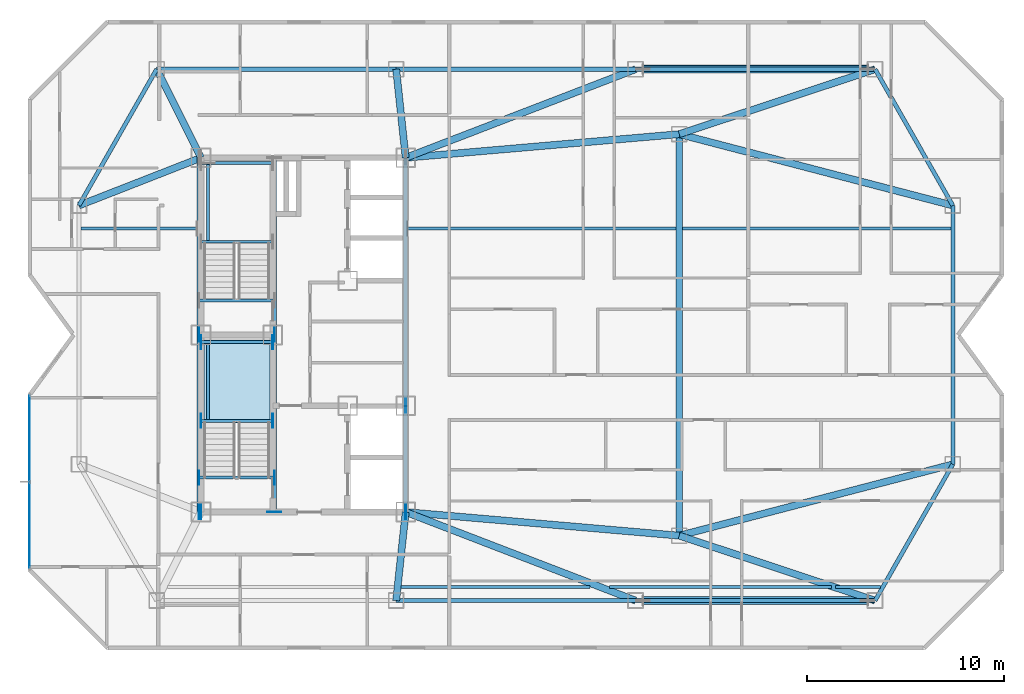
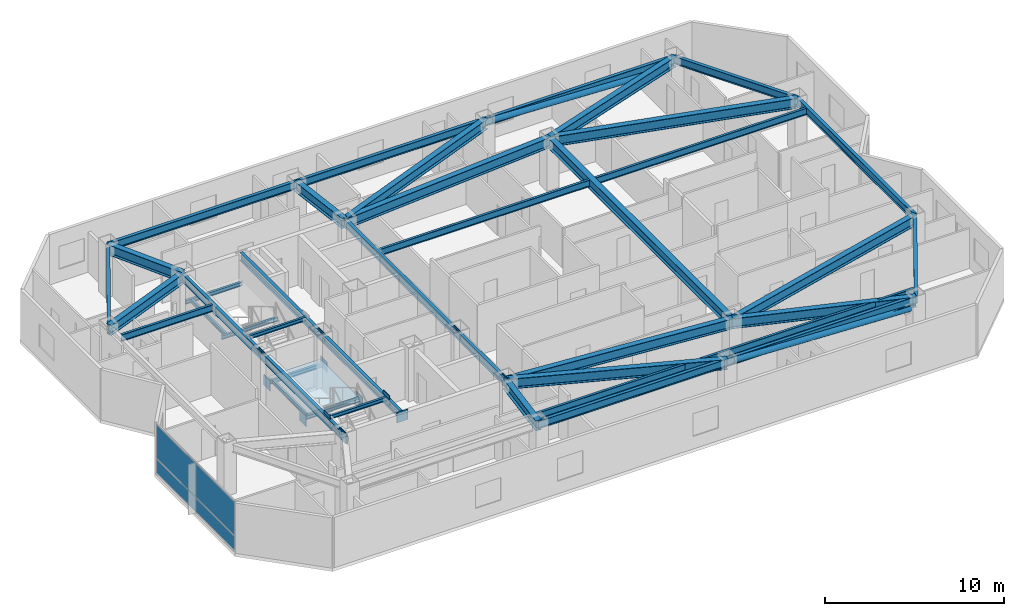
# One storey, part 5 of 14: 42 beams, 18 plates, 2 members, 1 slab, 2 elements without a shape of their own.
"""IFC4 building model written with IfcOpenShell, lengths in metres."""

from ifc_helpers import new_model, si_unit, direction, frame, origin, origin_2d, place, context, subcontext, project, spatial, polyline, rectangle, hollow_circle, i_section, outline, extrude, material, layer, layer_set, material_profile, profile_set, type_object, element, aggregate, save


model = new_model("IFC4")

# Units and contexts
model_context = context("Model", 3, precision=1e-05, world=origin(), true_north=direction((0.0, 1.0)))
body_context = subcontext(model_context, "Body", "Model", "MODEL_VIEW")
ifc_project = project(units=[si_unit("LENGTHUNIT", "METRE"), si_unit("AREAUNIT", "SQUARE_METRE"), si_unit("VOLUMEUNIT", "CUBIC_METRE"), si_unit("PLANEANGLEUNIT", "RADIAN"), si_unit("MASSUNIT", "GRAM", prefix="KILO")], contexts=[model_context])

# Site, building, storey
site_placement = place(None, origin())
site = spatial("IfcSite", under=ifc_project, at=site_placement, CompositionType="ELEMENT")
building_placement = place(site_placement, origin())
building = spatial("IfcBuilding", under=site, at=building_placement, Name="Khamvora Tower", CompositionType="ELEMENT")
storey_placement = place(building_placement, frame((0.0, 0.0, 231.800048828125)))
storey = spatial("IfcBuildingStorey", under=building, at=storey_placement, Name="L59", CompositionType="ELEMENT", Elevation=231.800048828125)

# Beams
ifc_material_1 = material(Name="Steel S355", Category="steel")
ifc_material_profile_1 = material_profile(ifc_material_1, i_section(OverallWidth=0.154052734375, OverallDepth=0.458984375, WebThickness=0.009033203125, FlangeThickness=0.014892578125, FilletRadius=0.011962890625, at=origin_2d()), Name="W460x68")
ifc_profile_set_1 = profile_set([ifc_material_profile_1], Name="Steel S355")
beam_type_1 = type_object("IfcBeamType", Name="BM-JS-W460x68", PredefinedType="JOIST", material=ifc_profile_set_1)
beam_1_placement = place(storey_placement, frame((39.166015625, 15.199951171875, 3.199951171875), z_axis=(1.0, 0.0, 0.0), x_axis=(0.0, 1.0, 0.0)))
element("IfcBeam", 1, at=beam_1_placement, inside=storey, type_object=beam_type_1, Name="L59 secondary floor joist 02", PredefinedType="JOIST", context=body_context, shape_type="SweptSolid", body=[
    extrude(i_section(OverallWidth=0.154052734375, OverallDepth=0.458984375, WebThickness=0.009033203125, FlangeThickness=0.014892578125, FilletRadius=0.011962890625, at=origin_2d()), origin(), (0.0, 0.0, 1.0), 9.611083984375),
])
beam_2_placement = place(storey_placement, frame((49.75390625, 15.199951171875, 3.199951171875), z_axis=(1.0, 0.0, 0.0), x_axis=(0.0, 1.0, 0.0)))
element("IfcBeam", 2, at=beam_2_placement, inside=storey, type_object=beam_type_1, Name="L59 secondary floor joist 03", PredefinedType="JOIST", context=body_context, shape_type="SweptSolid", body=[
    extrude(i_section(OverallWidth=0.154052734375, OverallDepth=0.458984375, WebThickness=0.009033203125, FlangeThickness=0.014892578125, FilletRadius=0.011962890625, at=origin_2d()), origin(), (0.0, 0.0, 1.0), 11.2900390625),
])
beam_3_placement = place(storey_placement, frame((61.23388671875, 15.199951171875, 3.199951171875), z_axis=(1.0, 0.0, 0.0), x_axis=(0.0, 1.0, 0.0)))
element("IfcBeam", 3, at=beam_3_placement, inside=storey, type_object=beam_type_1, Name="L59 secondary floor joist 04", PredefinedType="JOIST", context=body_context, shape_type="SweptSolid", body=[
    extrude(i_section(OverallWidth=0.154052734375, OverallDepth=0.458984375, WebThickness=0.009033203125, FlangeThickness=0.014892578125, FilletRadius=0.011962890625, at=origin_2d()), origin(), (0.0, 0.0, 1.0), 2.300048828125),
])
beam_4_placement = place(storey_placement, frame((22.89892578125, 33.39990234375, 3.199951171875), z_axis=(1.0, 0.0, 0.0), x_axis=(0.0, 1.0, 0.0)))
element("IfcBeam", 4, at=beam_4_placement, inside=storey, type_object=beam_type_1, Name="L59 secondary floor joist 05", PredefinedType="JOIST", context=body_context, shape_type="SweptSolid", body=[
    extrude(i_section(OverallWidth=0.154052734375, OverallDepth=0.458984375, WebThickness=0.009033203125, FlangeThickness=0.014892578125, FilletRadius=0.011962890625, at=origin_2d()), origin(), (0.0, 0.0, 1.0), 5.901123046875),
])
beam_5_placement = place(storey_placement, frame((39.4990234375, 33.39990234375, 3.199951171875), z_axis=(1.0, 0.0, 0.0), x_axis=(0.0, 1.0, 0.0)))
element("IfcBeam", 5, at=beam_5_placement, inside=storey, type_object=beam_type_1, Name="L59 secondary floor joist 06", PredefinedType="JOIST", context=body_context, shape_type="SweptSolid", body=[
    extrude(i_section(OverallWidth=0.154052734375, OverallDepth=0.458984375, WebThickness=0.009033203125, FlangeThickness=0.014892578125, FilletRadius=0.011962890625, at=origin_2d()), origin(), (0.0, 0.0, 1.0), 13.6279296875),
])
beam_6_placement = place(storey_placement, frame((53.471923828125, 33.39990234375, 3.199951171875), z_axis=(1.0, 0.0, 0.0), x_axis=(0.0, 1.0, 0.0)))
element("IfcBeam", 6, at=beam_6_placement, inside=storey, type_object=beam_type_1, Name="L59 secondary floor joist 07", PredefinedType="JOIST", context=body_context, shape_type="SweptSolid", body=[
    extrude(i_section(OverallWidth=0.154052734375, OverallDepth=0.458984375, WebThickness=0.009033203125, FlangeThickness=0.014892578125, FilletRadius=0.011962890625, at=origin_2d()), origin(), (0.0, 0.0, 1.0), 13.628173828125),
])
ifc_material_profile_2 = material_profile(ifc_material_1, i_section(OverallWidth=0.14697265625, OverallDepth=0.261962890625, WebThickness=0.007080078125, FlangeThickness=0.010986328125, FilletRadius=0.008056640625, at=origin_2d()), Name="W250x39")
ifc_profile_set_2 = profile_set([ifc_material_profile_2], Name="Steel S355")
beam_type_2 = type_object("IfcBeamType", Name="BM-LN-W250x39", PredefinedType="LINTEL", material=ifc_profile_set_2)
for number, where, z_axis, x_axis, name in (
    (7, (29.0, 23.635009765625, 1.493896484375), (1.0, 0.0, 0.0), (0.0, 1.0, 0.0), "L59 ST-01 half-landing support beam 1.1"),
    (8, (29.0, 27.6298828125, 1.493896484375), (1.0, 0.0, 0.0), (0.0, 1.0, 0.0), "L59 ST-01 half-landing support beam 1.2"),
):
    element("IfcBeam", number, at=place(storey_placement, frame(where, z_axis=z_axis, x_axis=x_axis)), inside=storey, type_object=beam_type_2, Name=name, PredefinedType="LINTEL", context=body_context, shape_type="SweptSolid", body=[
        extrude(i_section(OverallWidth=0.14697265625, OverallDepth=0.261962890625, WebThickness=0.007080078125, FlangeThickness=0.010986328125, FilletRadius=0.008056640625, at=origin_2d()), origin(), (0.0, 0.0, 1.0), 3.64990234375),
    ])
beam_7_placement = place(storey_placement, frame((29.35009765625, 23.635009765625, 1.493896484375), z_axis=(0.0, 1.0, 0.0), x_axis=(-1.0, 0.0, 0.0)))
element("IfcBeam", 9, at=beam_7_placement, inside=storey, type_object=beam_type_2, Name="L59 ST-01 half-landing edge stringer 1", PredefinedType="LINTEL", context=body_context, shape_type="SweptSolid", body=[
    extrude(i_section(OverallWidth=0.14697265625, OverallDepth=0.261962890625, WebThickness=0.007080078125, FlangeThickness=0.010986328125, FilletRadius=0.008056640625, at=origin_2d()), origin(), (0.0, 0.0, 1.0), 3.994873046875),
])
for number, where, z_axis, x_axis, name in (
    (10, (29.0, 32.735107421875, 1.493896484375), (1.0, 0.0, 0.0), (0.0, 1.0, 0.0), "L59 ST-02 half-landing support beam 1.1"),
    (11, (29.0, 36.72998046875, 1.493896484375), (1.0, 0.0, 0.0), (0.0, 1.0, 0.0), "L59 ST-02 half-landing support beam 1.2"),
):
    element("IfcBeam", number, at=place(storey_placement, frame(where, z_axis=z_axis, x_axis=x_axis)), inside=storey, type_object=beam_type_2, Name=name, PredefinedType="LINTEL", context=body_context, shape_type="SweptSolid", body=[
        extrude(i_section(OverallWidth=0.14697265625, OverallDepth=0.261962890625, WebThickness=0.007080078125, FlangeThickness=0.010986328125, FilletRadius=0.008056640625, at=origin_2d()), origin(), (0.0, 0.0, 1.0), 3.64990234375),
    ])
beam_8_placement = place(storey_placement, frame((29.35009765625, 32.735107421875, 1.493896484375), z_axis=(0.0, 1.0, 0.0), x_axis=(-1.0, 0.0, 0.0)))
element("IfcBeam", 12, at=beam_8_placement, inside=storey, type_object=beam_type_2, Name="L59 ST-02 half-landing edge stringer 1", PredefinedType="LINTEL", context=body_context, shape_type="SweptSolid", body=[
    extrude(i_section(OverallWidth=0.14697265625, OverallDepth=0.261962890625, WebThickness=0.007080078125, FlangeThickness=0.010986328125, FilletRadius=0.008056640625, at=origin_2d()), origin(), (0.0, 0.0, 1.0), 3.994873046875),
])
for number, where, z_axis, x_axis, name in (
    (13, (28.89990234375, 20.75, 3.303955078125), (1.0, 0.0, 0.0), (0.0, 1.0, 0.0), "L59 exit stair ST-01 landing trimmer beam"),
    (14, (28.89990234375, 29.75, 3.303955078125), (1.0, 0.0, 0.0), (0.0, 1.0, 0.0), "L59 exit stair ST-02 landing trimmer beam"),
):
    element("IfcBeam", number, at=place(storey_placement, frame(where, z_axis=z_axis, x_axis=x_axis)), inside=storey, type_object=beam_type_2, Name=name, PredefinedType="LINTEL", context=body_context, shape_type="SweptSolid", body=[
        extrude(i_section(OverallWidth=0.14697265625, OverallDepth=0.261962890625, WebThickness=0.007080078125, FlangeThickness=0.010986328125, FilletRadius=0.008056640625, at=origin_2d()), origin(), (0.0, 0.0, 1.0), 3.830078125),
    ])
ifc_material_profile_3 = material_profile(ifc_material_1, i_section(OverallWidth=0.35498046875, OverallDepth=0.695068359375, WebThickness=0.014892578125, FlangeThickness=0.02490234375, FilletRadius=0.01611328125, at=origin_2d()), Name="W690x217")
ifc_profile_set_3 = profile_set([ifc_material_profile_3], Name="Steel S355")
beam_type_3 = type_object("IfcBeamType", Name="BM-PG-W690x217", PredefinedType="BEAM", material=ifc_profile_set_3)
beam_9_placement = place(storey_placement, frame((53.300048828125, 17.800048828125, 3.08203125), z_axis=(0.0, 1.0, 0.0), x_axis=(-1.0, 0.0, 0.0)))
element("IfcBeam", 15, at=beam_9_placement, inside=storey, type_object=beam_type_3, Name="L59 longitudinal frame girder M1-M2", PredefinedType="BEAM", context=body_context, shape_type="SweptSolid", body=[
    extrude(i_section(OverallWidth=0.35498046875, OverallDepth=0.695068359375, WebThickness=0.014892578125, FlangeThickness=0.02490234375, FilletRadius=0.01611328125, at=origin_2d()), origin(), (0.0, 0.0, 1.0), 20.39990234375),
])
beam_10_placement = place(storey_placement, frame((39.39990234375, 19.0, 3.08203125), z_axis=(-0.106700735484, -0.994291181218, 0.0), x_axis=(0.994291181218, -0.106700735484, 0.0)))
element("IfcBeam", 16, at=beam_10_placement, inside=storey, type_object=beam_type_3, Name="L59 primary floor girder S2", PredefinedType="BEAM", context=body_context, shape_type="SweptSolid", body=[
    extrude(i_section(OverallWidth=0.35498046875, OverallDepth=0.695068359375, WebThickness=0.014892578125, FlangeThickness=0.02490234375, FilletRadius=0.01611328125, at=origin_2d()), origin(), (0.0, 0.0, 1.0), 4.52587890625),
])
beam_11_placement = place(storey_placement, frame((39.39990234375, 19.0, 3.08203125), z_axis=(0.933171601475, -0.359431164759, 0.0), x_axis=(0.359431164759, 0.933171601475, 0.0)))
element("IfcBeam", 17, at=beam_11_placement, inside=storey, type_object=beam_type_3, Name="L59 primary floor girder S3", PredefinedType="BEAM", context=body_context, shape_type="SweptSolid", body=[
    extrude(i_section(OverallWidth=0.35498046875, OverallDepth=0.695068359375, WebThickness=0.014892578125, FlangeThickness=0.02490234375, FilletRadius=0.01611328125, at=origin_2d()), origin(), (0.0, 0.0, 1.0), 12.519775390625),
])
beam_12_placement = place(storey_placement, frame((53.300048828125, 17.800048828125, 3.08203125), z_axis=(0.949157330029, -0.314802101092, 0.0), x_axis=(0.314802101092, 0.949157330029, 0.0)))
element("IfcBeam", 18, at=beam_12_placement, inside=storey, type_object=beam_type_3, Name="L59 primary floor girder S4", PredefinedType="BEAM", context=body_context, shape_type="SweptSolid", body=[
    extrude(i_section(OverallWidth=0.35498046875, OverallDepth=0.695068359375, WebThickness=0.014892578125, FlangeThickness=0.02490234375, FilletRadius=0.01611328125, at=origin_2d()), origin(), (0.0, 0.0, 1.0), 10.48291015625),
])
beam_13_placement = place(storey_placement, frame((29.0, 37.0, 3.08203125), z_axis=(-0.4472135955, 0.894427191, 0.0), x_axis=(-0.894427191, -0.4472135955, 0.0)))
element("IfcBeam", 19, at=beam_13_placement, inside=storey, type_object=beam_type_3, Name="L59 primary floor girder N1", PredefinedType="BEAM", context=body_context, shape_type="SweptSolid", body=[
    extrude(i_section(OverallWidth=0.35498046875, OverallDepth=0.695068359375, WebThickness=0.014892578125, FlangeThickness=0.02490234375, FilletRadius=0.01611328125, at=origin_2d()), origin(), (0.0, 0.0, 1.0), 5.03125),
])
beam_14_placement = place(storey_placement, frame((39.39990234375, 37.0, 3.08203125), z_axis=(-0.106700735484, 0.994291181218, 0.0), x_axis=(-0.994291181218, -0.106700735484, 0.0)))
element("IfcBeam", 20, at=beam_14_placement, inside=storey, type_object=beam_type_3, Name="L59 primary floor girder N2", PredefinedType="BEAM", context=body_context, shape_type="SweptSolid", body=[
    extrude(i_section(OverallWidth=0.35498046875, OverallDepth=0.695068359375, WebThickness=0.014892578125, FlangeThickness=0.02490234375, FilletRadius=0.01611328125, at=origin_2d()), origin(), (0.0, 0.0, 1.0), 4.52587890625),
])
beam_15_placement = place(storey_placement, frame((39.39990234375, 37.0, 3.08203125), z_axis=(0.933171601475, 0.359431164759, 0.0), x_axis=(-0.359431164759, 0.933171601475, 0.0)))
element("IfcBeam", 21, at=beam_15_placement, inside=storey, type_object=beam_type_3, Name="L59 primary floor girder N3", PredefinedType="BEAM", context=body_context, shape_type="SweptSolid", body=[
    extrude(i_section(OverallWidth=0.35498046875, OverallDepth=0.695068359375, WebThickness=0.014892578125, FlangeThickness=0.02490234375, FilletRadius=0.01611328125, at=origin_2d()), origin(), (0.0, 0.0, 1.0), 12.519775390625),
])
beam_16_placement = place(storey_placement, frame((53.300048828125, 38.199951171875, 3.08203125), z_axis=(0.949157330029, 0.314802101092, 0.0), x_axis=(-0.314802101092, 0.949157330029, 0.0)))
element("IfcBeam", 22, at=beam_16_placement, inside=storey, type_object=beam_type_3, Name="L59 primary floor girder N4", PredefinedType="BEAM", context=body_context, shape_type="SweptSolid", body=[
    extrude(i_section(OverallWidth=0.35498046875, OverallDepth=0.695068359375, WebThickness=0.014892578125, FlangeThickness=0.02490234375, FilletRadius=0.01611328125, at=origin_2d()), origin(), (0.0, 0.0, 1.0), 10.48291015625),
])
beam_17_placement = place(storey_placement, frame((29.0, 37.0, 3.08203125), z_axis=(-0.931294712743, -0.36426660294, 0.0), x_axis=(0.36426660294, -0.931294712743, 0.0)))
element("IfcBeam", 23, at=beam_17_placement, inside=storey, type_object=beam_type_3, Name="L59 primary floor girder W2", PredefinedType="BEAM", context=body_context, shape_type="SweptSolid", body=[
    extrude(i_section(OverallWidth=0.35498046875, OverallDepth=0.695068359375, WebThickness=0.014892578125, FlangeThickness=0.02490234375, FilletRadius=0.01611328125, at=origin_2d()), origin(), (0.0, 0.0, 1.0), 6.6572265625),
])
for number, where, z_axis, x_axis, name in (
    (24, (53.300048828125, 17.800048828125, 3.08203125), (0.967635318494, 0.252352710314, 0.0), (-0.252352710314, 0.967635318494, 0.0), "L59 primary floor girder E1"),
    (25, (53.300048828125, 38.199951171875, 3.08203125), (0.967635318494, -0.252352710314, 0.0), (0.252352710314, 0.967635318494, 0.0), "L59 primary floor girder E2"),
):
    element("IfcBeam", number, at=place(storey_placement, frame(where, z_axis=z_axis, x_axis=x_axis)), inside=storey, type_object=beam_type_3, Name=name, PredefinedType="BEAM", context=body_context, shape_type="SweptSolid", body=[
        extrude(i_section(OverallWidth=0.35498046875, OverallDepth=0.695068359375, WebThickness=0.014892578125, FlangeThickness=0.02490234375, FilletRadius=0.01611328125, at=origin_2d()), origin(), (0.0, 0.0, 1.0), 14.36474609375),
    ])
for number, where, z_axis, x_axis, name in (
    (26, (39.39990234375, 19.0, 3.08203125), (0.996294564212, -0.08600663534, 0.0), (0.08600663534, 0.996294564212, 0.0), "L59 primary floor girder M1"),
    (27, (39.39990234375, 37.0, 3.08203125), (0.996294564212, 0.08600663534, 0.0), (-0.08600663534, 0.996294564212, 0.0), "L59 primary floor girder M2"),
):
    element("IfcBeam", number, at=place(storey_placement, frame(where, z_axis=z_axis, x_axis=x_axis)), inside=storey, type_object=beam_type_3, Name=name, PredefinedType="BEAM", context=body_context, shape_type="SweptSolid", body=[
        extrude(i_section(OverallWidth=0.35498046875, OverallDepth=0.695068359375, WebThickness=0.014892578125, FlangeThickness=0.02490234375, FilletRadius=0.01611328125, at=origin_2d()), origin(), (0.0, 0.0, 1.0), 13.951904296875),
    ])
ifc_material_profile_4 = material_profile(ifc_material_1, i_section(OverallWidth=0.208984375, OverallDepth=0.532958984375, WebThickness=0.010009765625, FlangeThickness=0.01611328125, FilletRadius=0.013916015625, at=origin_2d()), Name="W530x92")
ifc_profile_set_4 = profile_set([ifc_material_profile_4], Name="Steel S355")
beam_type_4 = type_object("IfcBeamType", Name="BM-SP-W530x92", PredefinedType="SPANDREL", material=ifc_profile_set_4)
beam_18_placement = place(storey_placement, frame((38.9169921875, 14.5, 3.162841796875), z_axis=(1.0, 0.0, 0.0), x_axis=(0.0, 1.0, 0.0)))
element("IfcBeam", 28, at=beam_18_placement, inside=storey, type_object=beam_type_4, Name="L59 perimeter spandrel beam S2-S3", PredefinedType="SPANDREL", context=body_context, shape_type="SweptSolid", body=[
    extrude(i_section(OverallWidth=0.208984375, OverallDepth=0.532958984375, WebThickness=0.010009765625, FlangeThickness=0.01611328125, FilletRadius=0.013916015625, at=origin_2d()), origin(), (0.0, 0.0, 1.0), 12.166015625),
])
beam_19_placement = place(storey_placement, frame((51.0830078125, 14.5, 3.162841796875), z_axis=(1.0, 0.0, 0.0), x_axis=(0.0, 1.0, 0.0)))
element("IfcBeam", 29, at=beam_19_placement, inside=storey, type_object=beam_type_4, Name="L59 perimeter spandrel beam S3-S4", PredefinedType="SPANDREL", context=body_context, shape_type="SweptSolid", body=[
    extrude(i_section(OverallWidth=0.208984375, OverallDepth=0.532958984375, WebThickness=0.010009765625, FlangeThickness=0.01611328125, FilletRadius=0.013916015625, at=origin_2d()), origin(), (0.0, 0.0, 1.0), 12.1669921875),
])
beam_20_placement = place(storey_placement, frame((63.25, 14.5, 3.162841796875), z_axis=(0.495456118564, 0.868632968853, 0.0), x_axis=(-0.868632968853, 0.495456118564, 0.0)))
element("IfcBeam", 30, at=beam_20_placement, inside=storey, type_object=beam_type_4, Name="L59 perimeter spandrel beam S4-E1", PredefinedType="SPANDREL", context=body_context, shape_type="SweptSolid", body=[
    extrude(i_section(OverallWidth=0.208984375, OverallDepth=0.532958984375, WebThickness=0.010009765625, FlangeThickness=0.01611328125, FilletRadius=0.013916015625, at=origin_2d()), origin(), (0.0, 0.0, 1.0), 7.972412109375),
])
beam_21_placement = place(storey_placement, frame((67.199951171875, 21.425048828125, 3.162841796875), z_axis=(0.0, 1.0, 0.0), x_axis=(-1.0, 0.0, 0.0)))
element("IfcBeam", 31, at=beam_21_placement, inside=storey, type_object=beam_type_4, Name="L59 perimeter spandrel beam E1-E2", PredefinedType="SPANDREL", context=body_context, shape_type="SweptSolid", body=[
    extrude(i_section(OverallWidth=0.208984375, OverallDepth=0.532958984375, WebThickness=0.010009765625, FlangeThickness=0.01611328125, FilletRadius=0.013916015625, at=origin_2d()), origin(), (0.0, 0.0, 1.0), 13.14990234375),
])
beam_22_placement = place(storey_placement, frame((67.199951171875, 34.574951171875, 3.162841796875), z_axis=(-0.495456118564, 0.868632968853, 0.0), x_axis=(-0.868632968853, -0.495456118564, 0.0)))
element("IfcBeam", 32, at=beam_22_placement, inside=storey, type_object=beam_type_4, Name="L59 perimeter spandrel beam E2-N4", PredefinedType="SPANDREL", context=body_context, shape_type="SweptSolid", body=[
    extrude(i_section(OverallWidth=0.208984375, OverallDepth=0.532958984375, WebThickness=0.010009765625, FlangeThickness=0.01611328125, FilletRadius=0.013916015625, at=origin_2d()), origin(), (0.0, 0.0, 1.0), 7.972412109375),
])
beam_23_placement = place(storey_placement, frame((63.25, 41.5, 3.162841796875), z_axis=(-1.0, 0.0, 0.0), x_axis=(0.0, -1.0, 0.0)))
element("IfcBeam", 33, at=beam_23_placement, inside=storey, type_object=beam_type_4, Name="L59 perimeter spandrel beam N4-N3", PredefinedType="SPANDREL", context=body_context, shape_type="SweptSolid", body=[
    extrude(i_section(OverallWidth=0.208984375, OverallDepth=0.532958984375, WebThickness=0.010009765625, FlangeThickness=0.01611328125, FilletRadius=0.013916015625, at=origin_2d()), origin(), (0.0, 0.0, 1.0), 12.1669921875),
])
beam_24_placement = place(storey_placement, frame((51.0830078125, 41.5, 3.162841796875), z_axis=(-1.0, 0.0, 0.0), x_axis=(0.0, -1.0, 0.0)))
element("IfcBeam", 34, at=beam_24_placement, inside=storey, type_object=beam_type_4, Name="L59 perimeter spandrel beam N3-N2", PredefinedType="SPANDREL", context=body_context, shape_type="SweptSolid", body=[
    extrude(i_section(OverallWidth=0.208984375, OverallDepth=0.532958984375, WebThickness=0.010009765625, FlangeThickness=0.01611328125, FilletRadius=0.013916015625, at=origin_2d()), origin(), (0.0, 0.0, 1.0), 12.166015625),
])
beam_25_placement = place(storey_placement, frame((38.9169921875, 41.5, 3.162841796875), z_axis=(-1.0, 0.0, 0.0), x_axis=(0.0, -1.0, 0.0)))
element("IfcBeam", 35, at=beam_25_placement, inside=storey, type_object=beam_type_4, Name="L59 perimeter spandrel beam N2-N1", PredefinedType="SPANDREL", context=body_context, shape_type="SweptSolid", body=[
    extrude(i_section(OverallWidth=0.208984375, OverallDepth=0.532958984375, WebThickness=0.010009765625, FlangeThickness=0.01611328125, FilletRadius=0.013916015625, at=origin_2d()), origin(), (0.0, 0.0, 1.0), 12.1669921875),
])
beam_26_placement = place(storey_placement, frame((26.75, 41.5, 3.162841796875), z_axis=(-0.495456118564, -0.868632968853, 0.0), x_axis=(0.868632968853, -0.495456118564, 0.0)))
element("IfcBeam", 36, at=beam_26_placement, inside=storey, type_object=beam_type_4, Name="L59 perimeter spandrel beam N1-W2", PredefinedType="SPANDREL", context=body_context, shape_type="SweptSolid", body=[
    extrude(i_section(OverallWidth=0.208984375, OverallDepth=0.532958984375, WebThickness=0.010009765625, FlangeThickness=0.01611328125, FilletRadius=0.013916015625, at=origin_2d()), origin(), (0.0, 0.0, 1.0), 7.972412109375),
])
for number, where, z_axis, x_axis, name in (
    (37, (28.89990234375, 19.0, 3.162841796875), (0.0, 1.0, 0.0), (-1.0, 0.0, 0.0), "L59 core spine girder WS"),
    (38, (28.89990234375, 28.0, 3.162841796875), (0.0, 1.0, 0.0), (-1.0, 0.0, 0.0), "L59 core spine girder WN"),
    (39, (32.72998046875, 19.0, 3.162841796875), (0.0, 1.0, 0.0), (-1.0, 0.0, 0.0), "L59 core spine girder M1S"),
    (40, (32.72998046875, 28.0, 3.162841796875), (0.0, 1.0, 0.0), (-1.0, 0.0, 0.0), "L59 core spine girder M1N"),
):
    element("IfcBeam", number, at=place(storey_placement, frame(where, z_axis=z_axis, x_axis=x_axis)), inside=storey, type_object=beam_type_4, Name=name, PredefinedType="SPANDREL", context=body_context, shape_type="SweptSolid", body=[
        extrude(i_section(OverallWidth=0.208984375, OverallDepth=0.532958984375, WebThickness=0.010009765625, FlangeThickness=0.01611328125, FilletRadius=0.013916015625, at=origin_2d()), origin(), (0.0, 0.0, 1.0), 9.0),
    ])
beam_27_placement = place(storey_placement, frame((39.39990234375, 19.0, 3.162841796875), z_axis=(0.0, 1.0, 0.0), x_axis=(-1.0, 0.0, 0.0)))
element("IfcBeam", 41, at=beam_27_placement, inside=storey, type_object=beam_type_4, Name="L59 core spine girder ES", PredefinedType="SPANDREL", context=body_context, shape_type="SweptSolid", body=[
    extrude(i_section(OverallWidth=0.208984375, OverallDepth=0.532958984375, WebThickness=0.010009765625, FlangeThickness=0.01611328125, FilletRadius=0.013916015625, at=origin_2d()), origin(), (0.0, 0.0, 1.0), 5.39990234375),
])
beam_28_placement = place(storey_placement, frame((39.39990234375, 24.39990234375, 3.162841796875), z_axis=(0.0, 1.0, 0.0), x_axis=(-1.0, 0.0, 0.0)))
element("IfcBeam", 42, at=beam_28_placement, inside=storey, type_object=beam_type_4, Name="L59 core spine girder EN", PredefinedType="SPANDREL", context=body_context, shape_type="SweptSolid", body=[
    extrude(i_section(OverallWidth=0.208984375, OverallDepth=0.532958984375, WebThickness=0.010009765625, FlangeThickness=0.01611328125, FilletRadius=0.013916015625, at=origin_2d()), origin(), (0.0, 0.0, 1.0), 12.60009765625),
])

# Members
ifc_material_profile_5 = material_profile(ifc_material_1, hollow_circle(Radius=0.202880859375, WallThickness=0.01611328125, at=origin_2d()), Name="CHS406x16")
ifc_profile_set_5 = profile_set([ifc_material_profile_5], Name="Steel S355")
member_type = type_object("IfcMemberType", Name="MEM-BR-CHS406", PredefinedType="BRACE", material=ifc_profile_set_5)
for number, where, z_axis, x_axis, name in (
    (43, (62.8701171875, 14.5, 2.695068359375), (-0.999212836813, 0.0, 0.039669972868), (0.0, -1.0, 0.0), "L59 perimeter wind brace 1"),
    (44, (62.8701171875, 41.5, 2.695068359375), (-0.999212836813, 0.0, 0.039669972868), (0.0, -1.0, 0.0), "L59 perimeter wind brace 2"),
):
    element("IfcMember", number, at=place(storey_placement, frame(where, z_axis=z_axis, x_axis=x_axis)), inside=storey, type_object=member_type, Name=name, PredefinedType="BRACE", context=body_context, shape_type="SweptSolid", body=[
        extrude(hollow_circle(Radius=0.202880859375, WallThickness=0.01611328125, at=origin_2d()), origin(), (0.0, 0.0, 1.0), 11.416259765625),
    ])

# Curtain wall, plates
ifc_material_2 = material(Name="Anodised Aluminium 6063-T6", Category="aluminium")
curtain_wall_type = type_object("IfcCurtainWallType", Name="CW-SYS-05", PredefinedType="NOTDEFINED", material=ifc_material_2)
curtain_wall_placement = place(storey_placement, origin())
curtain_wall = element("IfcCurtainWall", 45, at=curtain_wall_placement, inside=storey, type_object=curtain_wall_type, Name="L59 stick curtain wall 02.1", PredefinedType="NOTDEFINED")
ifc_material_3 = material(Name="Low-E Laminated Double Glazing", Category="glass")
ifc_layer_1 = layer(ifc_material_3, 0.02587890625)
ifc_layer_set_1 = layer_set([ifc_layer_1], Name="Low-E Laminated Double Glazing")
plate_type_1 = type_object("IfcPlateType", Name="CW-SYS-05-PNL", PredefinedType="CURTAIN_PANEL", material=ifc_layer_set_1)
plate_1_placement = place(storey_placement, frame((20.300048828125, 18.334716796875, 0.06005859375), z_axis=(0.0, 0.0, 1.0), x_axis=(0.0, 1.0, 0.0)))
plate_1 = element("IfcPlate", 46, at=plate_1_placement, type_object=plate_type_1, Name="CW-05 panel 1.1", PredefinedType="CURTAIN_PANEL", context=body_context, shape_type="SweptSolid", body=[
    extrude(rectangle(XDim=4.341552734375, YDim=0.02587890625, at=origin_2d()), origin(), (0.0, 0.0, 1.0), 0.9599609375),
])
plate_2_placement = place(storey_placement, frame((20.300048828125, 18.334716796875, 1.079833984375), z_axis=(0.0, 0.0, 1.0), x_axis=(0.0, 1.0, 0.0)))
plate_2 = element("IfcPlate", 47, at=plate_2_placement, type_object=plate_type_1, Name="CW-05 panel 1.2", PredefinedType="CURTAIN_PANEL", context=body_context, shape_type="SweptSolid", body=[
    extrude(rectangle(XDim=4.341552734375, YDim=0.02587890625, at=origin_2d()), origin(), (0.0, 0.0, 1.0), 2.2900390625),
])
plate_3_placement = place(storey_placement, frame((20.300048828125, 22.736328125, 0.06005859375), z_axis=(0.0, 0.0, 1.0), x_axis=(0.0, 1.0, 0.0)))
plate_3 = element("IfcPlate", 48, at=plate_3_placement, type_object=plate_type_1, Name="CW-05 panel 2.1", PredefinedType="CURTAIN_PANEL", context=body_context, shape_type="SweptSolid", body=[
    extrude(rectangle(XDim=4.341552734375, YDim=0.02587890625, at=origin_2d()), origin(), (0.0, 0.0, 1.0), 0.9599609375),
])
plate_4_placement = place(storey_placement, frame((20.300048828125, 22.736328125, 1.079833984375), z_axis=(0.0, 0.0, 1.0), x_axis=(0.0, 1.0, 0.0)))
plate_4 = element("IfcPlate", 49, at=plate_4_placement, type_object=plate_type_1, Name="CW-05 panel 2.2", PredefinedType="CURTAIN_PANEL", context=body_context, shape_type="SweptSolid", body=[
    extrude(rectangle(XDim=4.341552734375, YDim=0.02587890625, at=origin_2d()), origin(), (0.0, 0.0, 1.0), 2.2900390625),
])
aggregate(curtain_wall, [plate_1, plate_2, plate_3, plate_4])

# Plates
ifc_material_4 = material(Name="Steel S460", Category="steel")
ifc_layer_2 = layer(ifc_material_4, 0.034912109375)
ifc_layer_set_2 = layer_set([ifc_layer_2], Name="Steel S460")
plate_type_2 = type_object("IfcPlateType", Name="PL-EMB-35", PredefinedType="SHEET", material=ifc_layer_set_2)
for number, where, z_axis, x_axis, name in (
    (50, (29.0, 23.635009765625, 1.1337890625), (0.0, 0.0, 1.0), (1.0, 0.0, 0.0), "L59 core shear wall cast-in embed plate 1716"),
    (51, (32.64990234375, 23.635009765625, 1.1337890625), (0.0, 0.0, 1.0), (1.0, 0.0, 0.0), "L59 core shear wall cast-in embed plate 1717"),
    (52, (29.0, 27.6298828125, 1.1337890625), (0.0, 0.0, 1.0), (1.0, 0.0, 0.0), "L59 core shear wall cast-in embed plate 1718"),
    (53, (32.64990234375, 27.6298828125, 1.1337890625), (0.0, 0.0, 1.0), (1.0, 0.0, 0.0), "L59 core shear wall cast-in embed plate 1719"),
    (54, (29.0, 19.0, 2.72216796875), (0.0, 0.0, 1.0), (1.0, 0.0, 0.0), "L59 core shear wall cast-in embed plate 1725"),
    (55, (39.39990234375, 19.0, 2.72216796875), (0.0, 0.0, 1.0), (1.0, 0.0, 0.0), "L59 core shear wall cast-in embed plate 1726"),
    (56, (28.89990234375, 19.0, 2.802734375), (0.0, 0.0, 1.0), (1.0, 0.0, 0.0), "L59 core shear wall cast-in embed plate 1729"),
    (57, (28.89990234375, 28.0, 2.802734375), (0.0, 0.0, 1.0), (1.0, 0.0, 0.0), "L59 core shear wall cast-in embed plate 1730"),
):
    element("IfcPlate", number, at=place(storey_placement, frame(where, z_axis=z_axis, x_axis=x_axis)), inside=storey, type_object=plate_type_2, Name=name, PredefinedType="SHEET", context=body_context, shape_type="SweptSolid", body=[
        extrude(rectangle(XDim=0.034912109375, YDim=0.719970703125, at=origin_2d()), origin(), (0.0, 0.0, 1.0), 0.719970703125),
    ])
plate_5_placement = place(storey_placement, frame((32.72998046875, 19.0, 2.802734375), z_axis=(0.0, 0.0, 1.0), x_axis=(1.0, 0.0, 0.0)))
element("IfcPlate", 58, at=plate_5_placement, inside=storey, type_object=plate_type_2, Name="L59 core shear wall cast-in embed plate 1732", PredefinedType="SHEET", context=body_context, shape_type="SweptSolid", body=[
    extrude(rectangle(XDim=0.719970703125, YDim=0.034912109375, at=origin_2d()), origin(), (0.0, 0.0, 1.0), 0.719970703125),
])
for number, where, z_axis, x_axis, name in (
    (59, (32.72998046875, 28.0, 2.802734375), (0.0, 0.0, 1.0), (1.0, 0.0, 0.0), "L59 core shear wall cast-in embed plate 1733"),
    (60, (39.39990234375, 19.0, 2.802734375), (0.0, 0.0, 1.0), (1.0, 0.0, 0.0), "L59 core shear wall cast-in embed plate 1735"),
    (61, (39.39990234375, 24.39990234375, 2.802734375), (0.0, 0.0, 1.0), (1.0, 0.0, 0.0), "L59 core shear wall cast-in embed plate 1736"),
    (62, (28.89990234375, 20.75, 2.94384765625), (0.0, 0.0, 1.0), (1.0, 0.0, 0.0), "L59 core shear wall cast-in embed plate 1738"),
    (63, (32.72998046875, 20.75, 2.94384765625), (0.0, 0.0, 1.0), (1.0, 0.0, 0.0), "L59 core shear wall cast-in embed plate 1739"),
):
    element("IfcPlate", number, at=place(storey_placement, frame(where, z_axis=z_axis, x_axis=x_axis)), inside=storey, type_object=plate_type_2, Name=name, PredefinedType="SHEET", context=body_context, shape_type="SweptSolid", body=[
        extrude(rectangle(XDim=0.034912109375, YDim=0.719970703125, at=origin_2d()), origin(), (0.0, 0.0, 1.0), 0.719970703125),
    ])

# Stair, slab
ifc_material_5 = material(Name="Concrete C40/50", Category="concrete")
stair_type = type_object("IfcStairType", Name="STR-ST-01", PredefinedType="HALF_TURN_STAIR", material=ifc_material_5)
stair_placement = place(storey_placement, origin())
stair = element("IfcStair", 64, at=stair_placement, inside=storey, type_object=stair_type, Name="L59 South Tower Exit Stair ST-01", PredefinedType="HALF_TURN_STAIR")
ifc_layer_3 = layer(ifc_material_5, 0.199951171875)
ifc_layer_set_3 = layer_set([ifc_layer_3], Name="Concrete C40/50")
slab_type = type_object("IfcSlabType", Name="SLB-LND-200", PredefinedType="LANDING", material=ifc_layer_set_3)
slab_placement = place(storey_placement, frame((0.0, 0.0, 1.625)))
slab = element("IfcSlab", 65, at=slab_placement, type_object=slab_type, Name="ST-01 landing 1", PredefinedType="LANDING", context=body_context, shape_type="SweptSolid", body=[
    extrude(outline(polyline([(32.5, 23.514892578125), (32.5, 27.75), (29.14990234375, 27.75), (29.14990234375, 23.514892578125), (32.5, 23.514892578125)])), origin(), (0.0, 0.0, 1.0), 0.199951171875),
])
aggregate(stair, [slab])

save(model, "model.ifc")
